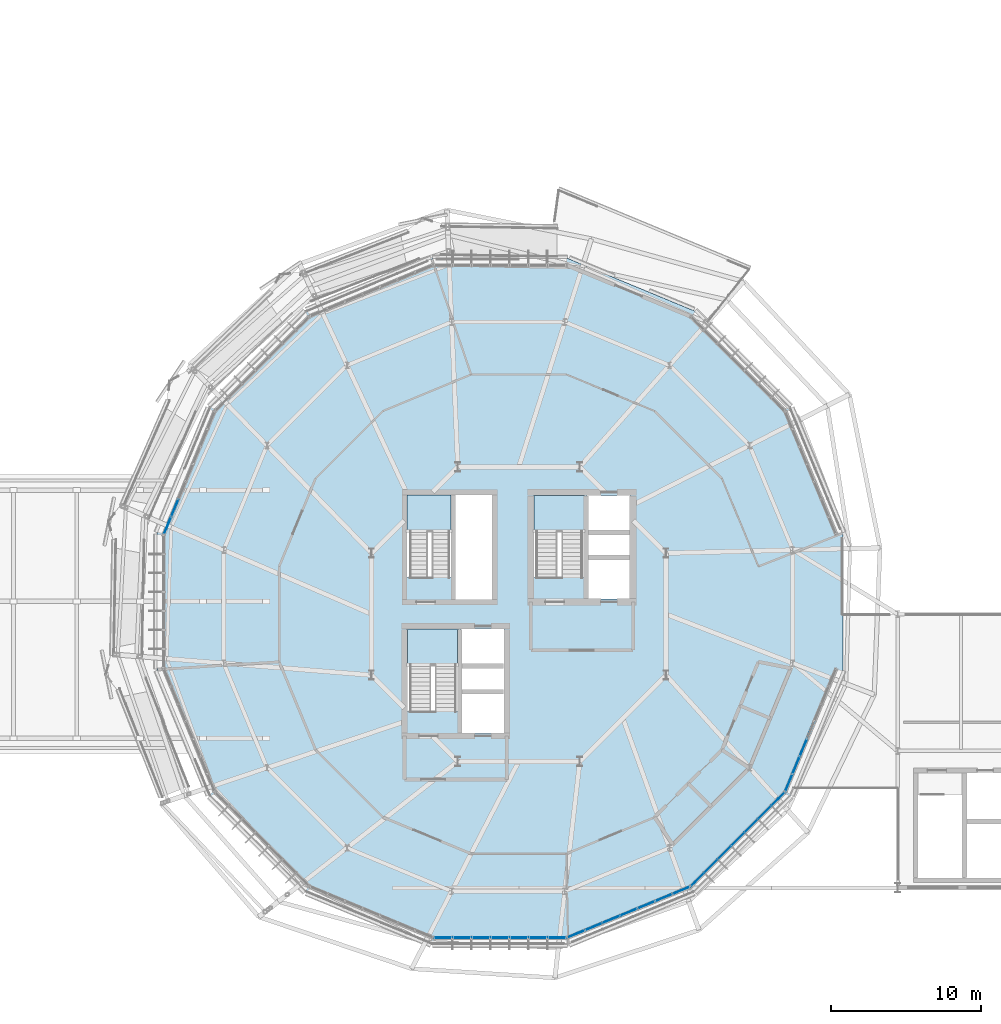
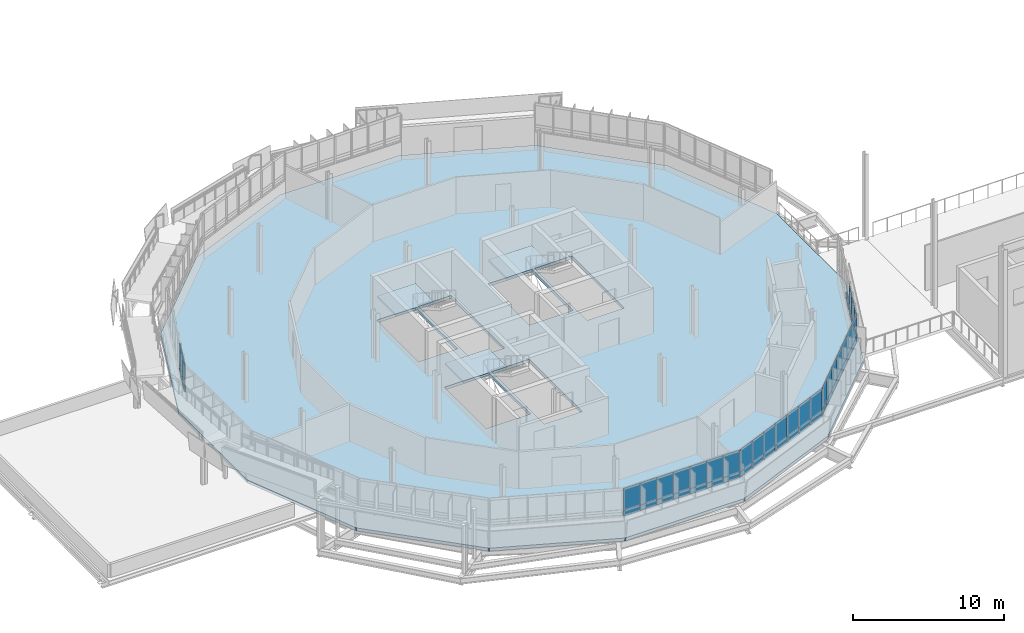
# One storey, part 41 of 61: 53 plates, 4 slabs, 8 elements without a shape of their own.
"""IFC4 building model written with IfcOpenShell, lengths in metres."""

from ifc_helpers import new_model, si_unit, derived_unit, direction, frame, origin, origin_2d, place, context, subcontext, project, spatial, polyline, rectangle, outline, extrude, material, layer, layer_set, type_object, element, aggregate, save


model = new_model("IFC4")

# Units and contexts
model_context = context("Model", 3, precision=1e-05, world=origin(), true_north=direction((0.0, 1.0)))
body_context = subcontext(model_context, "Body", "Model", "MODEL_VIEW")
ifc_project = project(units=[si_unit("LENGTHUNIT", "METRE"), si_unit("AREAUNIT", "SQUARE_METRE"), si_unit("VOLUMEUNIT", "CUBIC_METRE"), si_unit("PLANEANGLEUNIT", "RADIAN"), si_unit("MASSUNIT", "GRAM", prefix="KILO"), derived_unit("THERMALTRANSMITTANCEUNIT", [(si_unit("MASSUNIT", "GRAM", prefix="KILO"), 1), (si_unit("TIMEUNIT", "SECOND"), -3), (si_unit("THERMODYNAMICTEMPERATUREUNIT", "KELVIN"), -1)])], contexts=[model_context])

# Site, building, storey
site_placement = place(None, origin())
site = spatial("IfcSite", under=ifc_project, at=site_placement, CompositionType="ELEMENT")
building_placement = place(site_placement, origin())
building = spatial("IfcBuilding", under=site, at=building_placement, Name="Makaiwela Harbour Ferry Terminal", CompositionType="ELEMENT")
storey_placement = place(building_placement, frame((0.0, 0.0, 13.800048828125)))
storey = spatial("IfcBuildingStorey", under=building, at=storey_placement, Name="L03", CompositionType="ELEMENT", Elevation=13.800048828125)

# Curtain wall, plates
ifc_material_1 = material(Name="Marine anodised aluminium 6063-T6", Category="aluminium")
ifc_layer_1 = layer(ifc_material_1, 0.199951171875)
ifc_layer_set_1 = layer_set([ifc_layer_1], Name="Marine anodised aluminium 6063-T6")
curtain_wall_type = type_object("IfcCurtainWallType", Name="ENV-CW-05", PredefinedType="USERDEFINED", material=ifc_layer_set_1)
curtain_wall_1_placement = place(storey_placement, origin())
curtain_wall_1 = element("IfcCurtainWall", 1, at=curtain_wall_1_placement, inside=storey, type_object=curtain_wall_type, Name="Unitised Curtain Wall CWA-034", ObjectType="UNITIZED CURTAIN WALL", PredefinedType="USERDEFINED")
ifc_material_2 = material(Name="Laminated hurricane-impact low-E insulated glazing", Category="glass")
ifc_layer_2 = layer(ifc_material_2, 0.031982421875)
ifc_layer_set_2 = layer_set([ifc_layer_2], Name="Laminated hurricane-impact low-E insulated glazing")
plate_type_1 = type_object("IfcPlateType", Name="CW-PNL-G08", PredefinedType="CURTAIN_PANEL", material=ifc_layer_set_2)
plate_1_placement = place(storey_placement, frame((14.92431640625, 74.6650390625, 1.89990234375), z_axis=(0.0, 0.0, 1.0), x_axis=(-0.382683432365, -0.923879532511, 0.0)))
plate_1 = element("IfcPlate", 2, at=plate_1_placement, type_object=plate_type_1, Name="Glazed Vision Panel CWA-034-6G", PredefinedType="CURTAIN_PANEL", context=body_context, shape_type="SweptSolid", body=[
    extrude(rectangle(XDim=1.26220703125, YDim=0.031982421875, at=origin_2d()), origin(), (0.0, 0.0, 1.0), 1.760009765625),
])
plate_2_placement = place(storey_placement, frame((14.441162109375, 73.498779296875, 1.89990234375), z_axis=(0.0, 0.0, 1.0), x_axis=(-0.382683432365, -0.923879532511, 0.0)))
plate_2 = element("IfcPlate", 3, at=plate_2_placement, type_object=plate_type_1, Name="Glazed Vision Panel CWA-034-7G", PredefinedType="CURTAIN_PANEL", context=body_context, shape_type="SweptSolid", body=[
    extrude(rectangle(XDim=1.26220703125, YDim=0.031982421875, at=origin_2d()), origin(), (0.0, 0.0, 1.0), 1.760009765625),
])

curtain_wall_2_placement = place(storey_placement, origin())
curtain_wall_2 = element("IfcCurtainWall", 4, at=curtain_wall_2_placement, inside=storey, type_object=curtain_wall_type, Name="Unitised Curtain Wall CWA-039", ObjectType="UNITIZED CURTAIN WALL", PredefinedType="USERDEFINED")
plate_3_placement = place(storey_placement, frame((32.76318359375, 46.078125, 1.89990234375), z_axis=(0.0, 0.0, 1.0), x_axis=(1.0, 0.0, 0.0)))
plate_3 = element("IfcPlate", 5, at=plate_3_placement, type_object=plate_type_1, Name="Glazed Vision Panel CWA-039-1G", PredefinedType="CURTAIN_PANEL", context=body_context, shape_type="SweptSolid", body=[
    extrude(rectangle(XDim=1.26220703125, YDim=0.031982421875, at=origin_2d()), origin(), (0.0, 0.0, 1.0), 1.760009765625),
])
plate_4_placement = place(storey_placement, frame((34.025390625, 46.078125, 1.89990234375), z_axis=(0.0, 0.0, 1.0), x_axis=(1.0, 0.0, 0.0)))
plate_4 = element("IfcPlate", 6, at=plate_4_placement, type_object=plate_type_1, Name="Glazed Vision Panel CWA-039-2G", PredefinedType="CURTAIN_PANEL", context=body_context, shape_type="SweptSolid", body=[
    extrude(rectangle(XDim=1.26220703125, YDim=0.031982421875, at=origin_2d()), origin(), (0.0, 0.0, 1.0), 1.760009765625),
])
plate_5_placement = place(storey_placement, frame((35.28759765625, 46.078125, 1.89990234375), z_axis=(0.0, 0.0, 1.0), x_axis=(1.0, 0.0, 0.0)))
plate_5 = element("IfcPlate", 7, at=plate_5_placement, type_object=plate_type_1, Name="Glazed Vision Panel CWA-039-3G", PredefinedType="CURTAIN_PANEL", context=body_context, shape_type="SweptSolid", body=[
    extrude(rectangle(XDim=1.26220703125, YDim=0.031982421875, at=origin_2d()), origin(), (0.0, 0.0, 1.0), 1.760009765625),
])
plate_6_placement = place(storey_placement, frame((36.550048828125, 46.078125, 1.89990234375), z_axis=(0.0, 0.0, 1.0), x_axis=(1.0, 0.0, 0.0)))
plate_6 = element("IfcPlate", 8, at=plate_6_placement, type_object=plate_type_1, Name="Glazed Vision Panel CWA-039-4G", PredefinedType="CURTAIN_PANEL", context=body_context, shape_type="SweptSolid", body=[
    extrude(rectangle(XDim=1.26220703125, YDim=0.031982421875, at=origin_2d()), origin(), (0.0, 0.0, 1.0), 1.760009765625),
])
plate_7_placement = place(storey_placement, frame((37.812255859375, 46.078125, 1.89990234375), z_axis=(0.0, 0.0, 1.0), x_axis=(1.0, 0.0, 0.0)))
plate_7 = element("IfcPlate", 9, at=plate_7_placement, type_object=plate_type_1, Name="Glazed Vision Panel CWA-039-5G", PredefinedType="CURTAIN_PANEL", context=body_context, shape_type="SweptSolid", body=[
    extrude(rectangle(XDim=1.26220703125, YDim=0.031982421875, at=origin_2d()), origin(), (0.0, 0.0, 1.0), 1.760009765625),
])
plate_8_placement = place(storey_placement, frame((39.07470703125, 46.078125, 1.89990234375), z_axis=(0.0, 0.0, 1.0), x_axis=(1.0, 0.0, 0.0)))
plate_8 = element("IfcPlate", 10, at=plate_8_placement, type_object=plate_type_1, Name="Glazed Vision Panel CWA-039-6G", PredefinedType="CURTAIN_PANEL", context=body_context, shape_type="SweptSolid", body=[
    extrude(rectangle(XDim=1.26220703125, YDim=0.031982421875, at=origin_2d()), origin(), (0.0, 0.0, 1.0), 1.760009765625),
])
plate_9_placement = place(storey_placement, frame((40.3369140625, 46.078125, 1.89990234375), z_axis=(0.0, 0.0, 1.0), x_axis=(1.0, 0.0, 0.0)))
plate_9 = element("IfcPlate", 11, at=plate_9_placement, type_object=plate_type_1, Name="Glazed Vision Panel CWA-039-7G", PredefinedType="CURTAIN_PANEL", context=body_context, shape_type="SweptSolid", body=[
    extrude(rectangle(XDim=1.26220703125, YDim=0.031982421875, at=origin_2d()), origin(), (0.0, 0.0, 1.0), 1.760009765625),
])

curtain_wall_3_placement = place(storey_placement, origin())
curtain_wall_3 = element("IfcCurtainWall", 12, at=curtain_wall_3_placement, inside=storey, type_object=curtain_wall_type, Name="Unitised Curtain Wall CWA-040", ObjectType="UNITIZED CURTAIN WALL", PredefinedType="USERDEFINED")
plate_10_placement = place(storey_placement, frame((41.60888671875, 46.3310546875, 1.89990234375), z_axis=(0.0, 0.0, 1.0), x_axis=(0.923879532511, 0.382683432365, 0.0)))
plate_10 = element("IfcPlate", 13, at=plate_10_placement, type_object=plate_type_1, Name="Glazed Vision Panel CWA-040-1G", PredefinedType="CURTAIN_PANEL", context=body_context, shape_type="SweptSolid", body=[
    extrude(rectangle(XDim=1.26220703125, YDim=0.031982421875, at=origin_2d()), origin(), (0.0, 0.0, 1.0), 1.760009765625),
])
plate_11_placement = place(storey_placement, frame((42.775146484375, 46.814208984375, 1.89990234375), z_axis=(0.0, 0.0, 1.0), x_axis=(0.923879532511, 0.382683432365, 0.0)))
plate_11 = element("IfcPlate", 14, at=plate_11_placement, type_object=plate_type_1, Name="Glazed Vision Panel CWA-040-2G", PredefinedType="CURTAIN_PANEL", context=body_context, shape_type="SweptSolid", body=[
    extrude(rectangle(XDim=1.26220703125, YDim=0.031982421875, at=origin_2d()), origin(), (0.0, 0.0, 1.0), 1.760009765625),
])
plate_12_placement = place(storey_placement, frame((43.94140625, 47.297119140625, 1.89990234375), z_axis=(0.0, 0.0, 1.0), x_axis=(0.923879532511, 0.382683432365, 0.0)))
plate_12 = element("IfcPlate", 15, at=plate_12_placement, type_object=plate_type_1, Name="Glazed Vision Panel CWA-040-3G", PredefinedType="CURTAIN_PANEL", context=body_context, shape_type="SweptSolid", body=[
    extrude(rectangle(XDim=1.26220703125, YDim=0.031982421875, at=origin_2d()), origin(), (0.0, 0.0, 1.0), 1.760009765625),
])
plate_13_placement = place(storey_placement, frame((45.107666015625, 47.7802734375, 1.89990234375), z_axis=(0.0, 0.0, 1.0), x_axis=(0.923879532511, 0.382683432365, 0.0)))
plate_13 = element("IfcPlate", 16, at=plate_13_placement, type_object=plate_type_1, Name="Glazed Vision Panel CWA-040-4G", PredefinedType="CURTAIN_PANEL", context=body_context, shape_type="SweptSolid", body=[
    extrude(rectangle(XDim=1.26220703125, YDim=0.031982421875, at=origin_2d()), origin(), (0.0, 0.0, 1.0), 1.760009765625),
])
plate_14_placement = place(storey_placement, frame((46.273681640625, 48.263427734375, 1.89990234375), z_axis=(0.0, 0.0, 1.0), x_axis=(0.923879532511, 0.382683432365, 0.0)))
plate_14 = element("IfcPlate", 17, at=plate_14_placement, type_object=plate_type_1, Name="Glazed Vision Panel CWA-040-5G", PredefinedType="CURTAIN_PANEL", context=body_context, shape_type="SweptSolid", body=[
    extrude(rectangle(XDim=1.26220703125, YDim=0.031982421875, at=origin_2d()), origin(), (0.0, 0.0, 1.0), 1.760009765625),
])
plate_15_placement = place(storey_placement, frame((47.43994140625, 48.746337890625, 1.89990234375), z_axis=(0.0, 0.0, 1.0), x_axis=(0.923879532511, 0.382683432365, 0.0)))
plate_15 = element("IfcPlate", 18, at=plate_15_placement, type_object=plate_type_1, Name="Glazed Vision Panel CWA-040-6G", PredefinedType="CURTAIN_PANEL", context=body_context, shape_type="SweptSolid", body=[
    extrude(rectangle(XDim=1.26220703125, YDim=0.031982421875, at=origin_2d()), origin(), (0.0, 0.0, 1.0), 1.760009765625),
])
plate_16_placement = place(storey_placement, frame((48.606201171875, 49.2294921875, 1.89990234375), z_axis=(0.0, 0.0, 1.0), x_axis=(0.923879532511, 0.382683432365, 0.0)))
plate_16 = element("IfcPlate", 19, at=plate_16_placement, type_object=plate_type_1, Name="Glazed Vision Panel CWA-040-7G", PredefinedType="CURTAIN_PANEL", context=body_context, shape_type="SweptSolid", body=[
    extrude(rectangle(XDim=1.26220703125, YDim=0.031982421875, at=origin_2d()), origin(), (0.0, 0.0, 1.0), 1.760009765625),
])

curtain_wall_4_placement = place(storey_placement, origin())
curtain_wall_4 = element("IfcCurtainWall", 20, at=curtain_wall_4_placement, inside=storey, type_object=curtain_wall_type, Name="Unitised Curtain Wall CWA-041", ObjectType="UNITIZED CURTAIN WALL", PredefinedType="USERDEFINED")
plate_17_placement = place(storey_placement, frame((49.6845703125, 49.949951171875, 1.89990234375), z_axis=(0.0, 0.0, 1.0), x_axis=(0.707106781187, 0.707106781187, 0.0)))
plate_17 = element("IfcPlate", 21, at=plate_17_placement, type_object=plate_type_1, Name="Glazed Vision Panel CWA-041-1G", PredefinedType="CURTAIN_PANEL", context=body_context, shape_type="SweptSolid", body=[
    extrude(rectangle(XDim=1.26220703125, YDim=0.031982421875, at=origin_2d()), origin(), (0.0, 0.0, 1.0), 1.760009765625),
])
plate_18_placement = place(storey_placement, frame((50.5771484375, 50.842529296875, 1.89990234375), z_axis=(0.0, 0.0, 1.0), x_axis=(0.707106781187, 0.707106781187, 0.0)))
plate_18 = element("IfcPlate", 22, at=plate_18_placement, type_object=plate_type_1, Name="Glazed Vision Panel CWA-041-2G", PredefinedType="CURTAIN_PANEL", context=body_context, shape_type="SweptSolid", body=[
    extrude(rectangle(XDim=1.26220703125, YDim=0.031982421875, at=origin_2d()), origin(), (0.0, 0.0, 1.0), 1.760009765625),
])
plate_19_placement = place(storey_placement, frame((51.4697265625, 51.735107421875, 1.89990234375), z_axis=(0.0, 0.0, 1.0), x_axis=(0.707106781187, 0.707106781187, 0.0)))
plate_19 = element("IfcPlate", 23, at=plate_19_placement, type_object=plate_type_1, Name="Glazed Vision Panel CWA-041-3G", PredefinedType="CURTAIN_PANEL", context=body_context, shape_type="SweptSolid", body=[
    extrude(rectangle(XDim=1.26220703125, YDim=0.031982421875, at=origin_2d()), origin(), (0.0, 0.0, 1.0), 1.760009765625),
])
plate_20_placement = place(storey_placement, frame((52.3623046875, 52.627685546875, 1.89990234375), z_axis=(0.0, 0.0, 1.0), x_axis=(0.707106781187, 0.707106781187, 0.0)))
plate_20 = element("IfcPlate", 24, at=plate_20_placement, type_object=plate_type_1, Name="Glazed Vision Panel CWA-041-4G", PredefinedType="CURTAIN_PANEL", context=body_context, shape_type="SweptSolid", body=[
    extrude(rectangle(XDim=1.26220703125, YDim=0.031982421875, at=origin_2d()), origin(), (0.0, 0.0, 1.0), 1.760009765625),
])
plate_21_placement = place(storey_placement, frame((53.2548828125, 53.520263671875, 1.89990234375), z_axis=(0.0, 0.0, 1.0), x_axis=(0.707106781187, 0.707106781187, 0.0)))
plate_21 = element("IfcPlate", 25, at=plate_21_placement, type_object=plate_type_1, Name="Glazed Vision Panel CWA-041-5G", PredefinedType="CURTAIN_PANEL", context=body_context, shape_type="SweptSolid", body=[
    extrude(rectangle(XDim=1.26220703125, YDim=0.031982421875, at=origin_2d()), origin(), (0.0, 0.0, 1.0), 1.760009765625),
])
plate_22_placement = place(storey_placement, frame((54.1474609375, 54.412841796875, 1.89990234375), z_axis=(0.0, 0.0, 1.0), x_axis=(0.707106781187, 0.707106781187, 0.0)))
plate_22 = element("IfcPlate", 26, at=plate_22_placement, type_object=plate_type_1, Name="Glazed Vision Panel CWA-041-6G", PredefinedType="CURTAIN_PANEL", context=body_context, shape_type="SweptSolid", body=[
    extrude(rectangle(XDim=1.26220703125, YDim=0.031982421875, at=origin_2d()), origin(), (0.0, 0.0, 1.0), 1.760009765625),
])
plate_23_placement = place(storey_placement, frame((55.0400390625, 55.305419921875, 1.89990234375), z_axis=(0.0, 0.0, 1.0), x_axis=(0.707106781187, 0.707106781187, 0.0)))
plate_23 = element("IfcPlate", 27, at=plate_23_placement, type_object=plate_type_1, Name="Glazed Vision Panel CWA-041-7G", PredefinedType="CURTAIN_PANEL", context=body_context, shape_type="SweptSolid", body=[
    extrude(rectangle(XDim=1.26220703125, YDim=0.031982421875, at=origin_2d()), origin(), (0.0, 0.0, 1.0), 1.760009765625),
])

curtain_wall_5_placement = place(storey_placement, origin())
curtain_wall_5 = element("IfcCurtainWall", 28, at=curtain_wall_5_placement, inside=storey, type_object=curtain_wall_type, Name="Unitised Curtain Wall CWA-042", ObjectType="UNITIZED CURTAIN WALL", PredefinedType="USERDEFINED")
plate_24_placement = place(storey_placement, frame((55.760498046875, 56.3837890625, 1.89990234375), z_axis=(0.0, 0.0, 1.0), x_axis=(0.382683432365, 0.923879532511, 0.0)))
plate_24 = element("IfcPlate", 29, at=plate_24_placement, type_object=plate_type_1, Name="Glazed Vision Panel CWA-042-1G", PredefinedType="CURTAIN_PANEL", context=body_context, shape_type="SweptSolid", body=[
    extrude(rectangle(XDim=1.26220703125, YDim=0.031982421875, at=origin_2d()), origin(), (0.0, 0.0, 1.0), 1.760009765625),
])
plate_25_placement = place(storey_placement, frame((56.24365234375, 57.550048828125, 1.89990234375), z_axis=(0.0, 0.0, 1.0), x_axis=(0.382683432365, 0.923879532511, 0.0)))
plate_25 = element("IfcPlate", 30, at=plate_25_placement, type_object=plate_type_1, Name="Glazed Vision Panel CWA-042-2G", PredefinedType="CURTAIN_PANEL", context=body_context, shape_type="SweptSolid", body=[
    extrude(rectangle(XDim=1.26220703125, YDim=0.031982421875, at=origin_2d()), origin(), (0.0, 0.0, 1.0), 1.760009765625),
])
plate_26_placement = place(storey_placement, frame((56.7265625, 58.71630859375, 1.89990234375), z_axis=(0.0, 0.0, 1.0), x_axis=(0.382683432365, 0.923879532511, 0.0)))
plate_26 = element("IfcPlate", 31, at=plate_26_placement, type_object=plate_type_1, Name="Glazed Vision Panel CWA-042-3G", PredefinedType="CURTAIN_PANEL", context=body_context, shape_type="SweptSolid", body=[
    extrude(rectangle(XDim=1.26220703125, YDim=0.031982421875, at=origin_2d()), origin(), (0.0, 0.0, 1.0), 1.760009765625),
])

# Plate
ifc_material_3 = material(Name="Insulated marine aluminium spandrel panel", Category="aluminium")
ifc_layer_3 = layer(ifc_material_3, 0.048095703125)
ifc_layer_set_3 = layer_set([ifc_layer_3], Name="Insulated marine aluminium spandrel panel")
plate_type_2 = type_object("IfcPlateType", Name="CW-PNL-S07", PredefinedType="CURTAIN_PANEL", material=ifc_layer_set_3)
plate_27_placement = place(storey_placement, frame((14.92431640625, 74.6650390625, 1.47998046875), z_axis=(0.0, 0.0, 1.0), x_axis=(-0.382683432365, -0.923879532511, 0.0)))
plate_27 = element("IfcPlate", 32, at=plate_27_placement, type_object=plate_type_2, Name="Spandrel Panel CWA-034-6S", PredefinedType="CURTAIN_PANEL", context=body_context, shape_type="SweptSolid", body=[
    extrude(rectangle(XDim=1.26220703125, YDim=0.048095703125, at=origin_2d()), origin(), (0.0, 0.0, 1.0), 0.419921875),
])

plate_28_placement = place(storey_placement, frame((14.441162109375, 73.498779296875, 1.47998046875), z_axis=(0.0, 0.0, 1.0), x_axis=(-0.382683432365, -0.923879532511, 0.0)))
plate_28 = element("IfcPlate", 33, at=plate_28_placement, type_object=plate_type_2, Name="Spandrel Panel CWA-034-7S", PredefinedType="CURTAIN_PANEL", context=body_context, shape_type="SweptSolid", body=[
    extrude(rectangle(XDim=1.26220703125, YDim=0.048095703125, at=origin_2d()), origin(), (0.0, 0.0, 1.0), 0.419921875),
])

aggregate(curtain_wall_1, [plate_27, plate_1, plate_28, plate_2])

plate_29_placement = place(storey_placement, frame((32.76318359375, 46.078125, 1.47998046875), z_axis=(0.0, 0.0, 1.0), x_axis=(1.0, 0.0, 0.0)))
plate_29 = element("IfcPlate", 34, at=plate_29_placement, type_object=plate_type_2, Name="Spandrel Panel CWA-039-1S", PredefinedType="CURTAIN_PANEL", context=body_context, shape_type="SweptSolid", body=[
    extrude(rectangle(XDim=1.26220703125, YDim=0.048095703125, at=origin_2d()), origin(), (0.0, 0.0, 1.0), 0.419921875),
])

plate_30_placement = place(storey_placement, frame((34.025390625, 46.078125, 1.47998046875), z_axis=(0.0, 0.0, 1.0), x_axis=(1.0, 0.0, 0.0)))
plate_30 = element("IfcPlate", 35, at=plate_30_placement, type_object=plate_type_2, Name="Spandrel Panel CWA-039-2S", PredefinedType="CURTAIN_PANEL", context=body_context, shape_type="SweptSolid", body=[
    extrude(rectangle(XDim=1.26220703125, YDim=0.048095703125, at=origin_2d()), origin(), (0.0, 0.0, 1.0), 0.419921875),
])

plate_31_placement = place(storey_placement, frame((35.28759765625, 46.078125, 1.47998046875), z_axis=(0.0, 0.0, 1.0), x_axis=(1.0, 0.0, 0.0)))
plate_31 = element("IfcPlate", 36, at=plate_31_placement, type_object=plate_type_2, Name="Spandrel Panel CWA-039-3S", PredefinedType="CURTAIN_PANEL", context=body_context, shape_type="SweptSolid", body=[
    extrude(rectangle(XDim=1.26220703125, YDim=0.048095703125, at=origin_2d()), origin(), (0.0, 0.0, 1.0), 0.419921875),
])

plate_32_placement = place(storey_placement, frame((36.550048828125, 46.078125, 1.47998046875), z_axis=(0.0, 0.0, 1.0), x_axis=(1.0, 0.0, 0.0)))
plate_32 = element("IfcPlate", 37, at=plate_32_placement, type_object=plate_type_2, Name="Spandrel Panel CWA-039-4S", PredefinedType="CURTAIN_PANEL", context=body_context, shape_type="SweptSolid", body=[
    extrude(rectangle(XDim=1.26220703125, YDim=0.048095703125, at=origin_2d()), origin(), (0.0, 0.0, 1.0), 0.419921875),
])

plate_33_placement = place(storey_placement, frame((37.812255859375, 46.078125, 1.47998046875), z_axis=(0.0, 0.0, 1.0), x_axis=(1.0, 0.0, 0.0)))
plate_33 = element("IfcPlate", 38, at=plate_33_placement, type_object=plate_type_2, Name="Spandrel Panel CWA-039-5S", PredefinedType="CURTAIN_PANEL", context=body_context, shape_type="SweptSolid", body=[
    extrude(rectangle(XDim=1.26220703125, YDim=0.048095703125, at=origin_2d()), origin(), (0.0, 0.0, 1.0), 0.419921875),
])

plate_34_placement = place(storey_placement, frame((39.07470703125, 46.078125, 1.47998046875), z_axis=(0.0, 0.0, 1.0), x_axis=(1.0, 0.0, 0.0)))
plate_34 = element("IfcPlate", 39, at=plate_34_placement, type_object=plate_type_2, Name="Spandrel Panel CWA-039-6S", PredefinedType="CURTAIN_PANEL", context=body_context, shape_type="SweptSolid", body=[
    extrude(rectangle(XDim=1.26220703125, YDim=0.048095703125, at=origin_2d()), origin(), (0.0, 0.0, 1.0), 0.419921875),
])

plate_35_placement = place(storey_placement, frame((40.3369140625, 46.078125, 1.47998046875), z_axis=(0.0, 0.0, 1.0), x_axis=(1.0, 0.0, 0.0)))
plate_35 = element("IfcPlate", 40, at=plate_35_placement, type_object=plate_type_2, Name="Spandrel Panel CWA-039-7S", PredefinedType="CURTAIN_PANEL", context=body_context, shape_type="SweptSolid", body=[
    extrude(rectangle(XDim=1.26220703125, YDim=0.048095703125, at=origin_2d()), origin(), (0.0, 0.0, 1.0), 0.419921875),
])

aggregate(curtain_wall_2, [plate_29, plate_3, plate_30, plate_4, plate_31, plate_5, plate_32, plate_6, plate_33, plate_7, plate_34, plate_8, plate_35, plate_9])

plate_36_placement = place(storey_placement, frame((41.60888671875, 46.3310546875, 1.47998046875), z_axis=(0.0, 0.0, 1.0), x_axis=(0.923879532511, 0.382683432365, 0.0)))
plate_36 = element("IfcPlate", 41, at=plate_36_placement, type_object=plate_type_2, Name="Spandrel Panel CWA-040-1S", PredefinedType="CURTAIN_PANEL", context=body_context, shape_type="SweptSolid", body=[
    extrude(rectangle(XDim=1.26220703125, YDim=0.048095703125, at=origin_2d()), origin(), (0.0, 0.0, 1.0), 0.419921875),
])

plate_37_placement = place(storey_placement, frame((42.775146484375, 46.814208984375, 1.47998046875), z_axis=(0.0, 0.0, 1.0), x_axis=(0.923879532511, 0.382683432365, 0.0)))
plate_37 = element("IfcPlate", 42, at=plate_37_placement, type_object=plate_type_2, Name="Spandrel Panel CWA-040-2S", PredefinedType="CURTAIN_PANEL", context=body_context, shape_type="SweptSolid", body=[
    extrude(rectangle(XDim=1.26220703125, YDim=0.048095703125, at=origin_2d()), origin(), (0.0, 0.0, 1.0), 0.419921875),
])

plate_38_placement = place(storey_placement, frame((43.94140625, 47.297119140625, 1.47998046875), z_axis=(0.0, 0.0, 1.0), x_axis=(0.923879532511, 0.382683432365, 0.0)))
plate_38 = element("IfcPlate", 43, at=plate_38_placement, type_object=plate_type_2, Name="Spandrel Panel CWA-040-3S", PredefinedType="CURTAIN_PANEL", context=body_context, shape_type="SweptSolid", body=[
    extrude(rectangle(XDim=1.26220703125, YDim=0.048095703125, at=origin_2d()), origin(), (0.0, 0.0, 1.0), 0.419921875),
])

plate_39_placement = place(storey_placement, frame((45.107666015625, 47.7802734375, 1.47998046875), z_axis=(0.0, 0.0, 1.0), x_axis=(0.923879532511, 0.382683432365, 0.0)))
plate_39 = element("IfcPlate", 44, at=plate_39_placement, type_object=plate_type_2, Name="Spandrel Panel CWA-040-4S", PredefinedType="CURTAIN_PANEL", context=body_context, shape_type="SweptSolid", body=[
    extrude(rectangle(XDim=1.26220703125, YDim=0.048095703125, at=origin_2d()), origin(), (0.0, 0.0, 1.0), 0.419921875),
])

plate_40_placement = place(storey_placement, frame((46.273681640625, 48.263427734375, 1.47998046875), z_axis=(0.0, 0.0, 1.0), x_axis=(0.923879532511, 0.382683432365, 0.0)))
plate_40 = element("IfcPlate", 45, at=plate_40_placement, type_object=plate_type_2, Name="Spandrel Panel CWA-040-5S", PredefinedType="CURTAIN_PANEL", context=body_context, shape_type="SweptSolid", body=[
    extrude(rectangle(XDim=1.26220703125, YDim=0.048095703125, at=origin_2d()), origin(), (0.0, 0.0, 1.0), 0.419921875),
])

plate_41_placement = place(storey_placement, frame((47.43994140625, 48.746337890625, 1.47998046875), z_axis=(0.0, 0.0, 1.0), x_axis=(0.923879532511, 0.382683432365, 0.0)))
plate_41 = element("IfcPlate", 46, at=plate_41_placement, type_object=plate_type_2, Name="Spandrel Panel CWA-040-6S", PredefinedType="CURTAIN_PANEL", context=body_context, shape_type="SweptSolid", body=[
    extrude(rectangle(XDim=1.26220703125, YDim=0.048095703125, at=origin_2d()), origin(), (0.0, 0.0, 1.0), 0.419921875),
])

plate_42_placement = place(storey_placement, frame((48.606201171875, 49.2294921875, 1.47998046875), z_axis=(0.0, 0.0, 1.0), x_axis=(0.923879532511, 0.382683432365, 0.0)))
plate_42 = element("IfcPlate", 47, at=plate_42_placement, type_object=plate_type_2, Name="Spandrel Panel CWA-040-7S", PredefinedType="CURTAIN_PANEL", context=body_context, shape_type="SweptSolid", body=[
    extrude(rectangle(XDim=1.26220703125, YDim=0.048095703125, at=origin_2d()), origin(), (0.0, 0.0, 1.0), 0.419921875),
])

aggregate(curtain_wall_3, [plate_36, plate_10, plate_37, plate_11, plate_38, plate_12, plate_39, plate_13, plate_40, plate_14, plate_41, plate_15, plate_42, plate_16])

plate_43_placement = place(storey_placement, frame((49.6845703125, 49.949951171875, 1.47998046875), z_axis=(0.0, 0.0, 1.0), x_axis=(0.707106781187, 0.707106781187, 0.0)))
plate_43 = element("IfcPlate", 48, at=plate_43_placement, type_object=plate_type_2, Name="Spandrel Panel CWA-041-1S", PredefinedType="CURTAIN_PANEL", context=body_context, shape_type="SweptSolid", body=[
    extrude(rectangle(XDim=1.26220703125, YDim=0.048095703125, at=origin_2d()), origin(), (0.0, 0.0, 1.0), 0.419921875),
])

plate_44_placement = place(storey_placement, frame((50.5771484375, 50.842529296875, 1.47998046875), z_axis=(0.0, 0.0, 1.0), x_axis=(0.707106781187, 0.707106781187, 0.0)))
plate_44 = element("IfcPlate", 49, at=plate_44_placement, type_object=plate_type_2, Name="Spandrel Panel CWA-041-2S", PredefinedType="CURTAIN_PANEL", context=body_context, shape_type="SweptSolid", body=[
    extrude(rectangle(XDim=1.26220703125, YDim=0.048095703125, at=origin_2d()), origin(), (0.0, 0.0, 1.0), 0.419921875),
])

plate_45_placement = place(storey_placement, frame((51.4697265625, 51.735107421875, 1.47998046875), z_axis=(0.0, 0.0, 1.0), x_axis=(0.707106781187, 0.707106781187, 0.0)))
plate_45 = element("IfcPlate", 50, at=plate_45_placement, type_object=plate_type_2, Name="Spandrel Panel CWA-041-3S", PredefinedType="CURTAIN_PANEL", context=body_context, shape_type="SweptSolid", body=[
    extrude(rectangle(XDim=1.26220703125, YDim=0.048095703125, at=origin_2d()), origin(), (0.0, 0.0, 1.0), 0.419921875),
])

plate_46_placement = place(storey_placement, frame((52.3623046875, 52.627685546875, 1.47998046875), z_axis=(0.0, 0.0, 1.0), x_axis=(0.707106781187, 0.707106781187, 0.0)))
plate_46 = element("IfcPlate", 51, at=plate_46_placement, type_object=plate_type_2, Name="Spandrel Panel CWA-041-4S", PredefinedType="CURTAIN_PANEL", context=body_context, shape_type="SweptSolid", body=[
    extrude(rectangle(XDim=1.26220703125, YDim=0.048095703125, at=origin_2d()), origin(), (0.0, 0.0, 1.0), 0.419921875),
])

plate_47_placement = place(storey_placement, frame((53.2548828125, 53.520263671875, 1.47998046875), z_axis=(0.0, 0.0, 1.0), x_axis=(0.707106781187, 0.707106781187, 0.0)))
plate_47 = element("IfcPlate", 52, at=plate_47_placement, type_object=plate_type_2, Name="Spandrel Panel CWA-041-5S", PredefinedType="CURTAIN_PANEL", context=body_context, shape_type="SweptSolid", body=[
    extrude(rectangle(XDim=1.26220703125, YDim=0.048095703125, at=origin_2d()), origin(), (0.0, 0.0, 1.0), 0.419921875),
])

plate_48_placement = place(storey_placement, frame((54.1474609375, 54.412841796875, 1.47998046875), z_axis=(0.0, 0.0, 1.0), x_axis=(0.707106781187, 0.707106781187, 0.0)))
plate_48 = element("IfcPlate", 53, at=plate_48_placement, type_object=plate_type_2, Name="Spandrel Panel CWA-041-6S", PredefinedType="CURTAIN_PANEL", context=body_context, shape_type="SweptSolid", body=[
    extrude(rectangle(XDim=1.26220703125, YDim=0.048095703125, at=origin_2d()), origin(), (0.0, 0.0, 1.0), 0.419921875),
])

plate_49_placement = place(storey_placement, frame((55.0400390625, 55.305419921875, 1.47998046875), z_axis=(0.0, 0.0, 1.0), x_axis=(0.707106781187, 0.707106781187, 0.0)))
plate_49 = element("IfcPlate", 54, at=plate_49_placement, type_object=plate_type_2, Name="Spandrel Panel CWA-041-7S", PredefinedType="CURTAIN_PANEL", context=body_context, shape_type="SweptSolid", body=[
    extrude(rectangle(XDim=1.26220703125, YDim=0.048095703125, at=origin_2d()), origin(), (0.0, 0.0, 1.0), 0.419921875),
])

aggregate(curtain_wall_4, [plate_43, plate_17, plate_44, plate_18, plate_45, plate_19, plate_46, plate_20, plate_47, plate_21, plate_48, plate_22, plate_49, plate_23])

plate_50_placement = place(storey_placement, frame((55.760498046875, 56.3837890625, 1.47998046875), z_axis=(0.0, 0.0, 1.0), x_axis=(0.382683432365, 0.923879532511, 0.0)))
plate_50 = element("IfcPlate", 55, at=plate_50_placement, type_object=plate_type_2, Name="Spandrel Panel CWA-042-1S", PredefinedType="CURTAIN_PANEL", context=body_context, shape_type="SweptSolid", body=[
    extrude(rectangle(XDim=1.26220703125, YDim=0.048095703125, at=origin_2d()), origin(), (0.0, 0.0, 1.0), 0.419921875),
])

plate_51_placement = place(storey_placement, frame((56.24365234375, 57.550048828125, 1.47998046875), z_axis=(0.0, 0.0, 1.0), x_axis=(0.382683432365, 0.923879532511, 0.0)))
plate_51 = element("IfcPlate", 56, at=plate_51_placement, type_object=plate_type_2, Name="Spandrel Panel CWA-042-2S", PredefinedType="CURTAIN_PANEL", context=body_context, shape_type="SweptSolid", body=[
    extrude(rectangle(XDim=1.26220703125, YDim=0.048095703125, at=origin_2d()), origin(), (0.0, 0.0, 1.0), 0.419921875),
])

plate_52_placement = place(storey_placement, frame((56.7265625, 58.71630859375, 1.47998046875), z_axis=(0.0, 0.0, 1.0), x_axis=(0.382683432365, 0.923879532511, 0.0)))
plate_52 = element("IfcPlate", 57, at=plate_52_placement, type_object=plate_type_2, Name="Spandrel Panel CWA-042-3S", PredefinedType="CURTAIN_PANEL", context=body_context, shape_type="SweptSolid", body=[
    extrude(rectangle(XDim=1.26220703125, YDim=0.048095703125, at=origin_2d()), origin(), (0.0, 0.0, 1.0), 0.419921875),
])

plate_53_placement = place(storey_placement, frame((57.209716796875, 59.88232421875, 1.47998046875), z_axis=(0.0, 0.0, 1.0), x_axis=(0.382683432365, 0.923879532511, 0.0)))
plate_53 = element("IfcPlate", 58, at=plate_53_placement, type_object=plate_type_2, Name="Spandrel Panel CWA-042-4S", PredefinedType="CURTAIN_PANEL", context=body_context, shape_type="SweptSolid", body=[
    extrude(rectangle(XDim=1.26220703125, YDim=0.048095703125, at=origin_2d()), origin(), (0.0, 0.0, 1.0), 0.419921875),
])

aggregate(curtain_wall_5, [plate_50, plate_24, plate_51, plate_25, plate_52, plate_26, plate_53])

# Slab
ifc_material_4 = material(Name="Concrete f'c 35 MPa (5000 psi)", Category="concrete")
ifc_layer_4 = layer(ifc_material_4, 0.239990234375)
ifc_layer_set_4 = layer_set([ifc_layer_4], Name="Concrete f'c 35 MPa (5000 psi)")
slab_type_1 = type_object("IfcSlabType", Name="SLB-FLR-240", PredefinedType="FLOOR", material=ifc_layer_set_4)
slab_1_placement = place(storey_placement, frame((0.0, 0.0, -0.239990234375)))
element("IfcSlab", 59, at=slab_1_placement, inside=storey, type_object=slab_type_1, Name="Slab SLB-037", PredefinedType="FLOOR", context=body_context, shape_type="SweptSolid", body=[
    extrude(outline(polyline([(59.353271484375, 72.975830078125), (55.881591796875, 81.35693359375), (49.467041015625, 87.771728515625), (41.085693359375, 91.243408203125), (32.01416015625, 91.243408203125), (23.633056640625, 87.771728515625), (17.21826171875, 81.35693359375), (13.74658203125, 72.975830078125), (13.74658203125, 63.904296875), (17.21826171875, 55.52294921875), (23.633056640625, 49.1083984375), (32.01416015625, 45.63671875), (41.085693359375, 45.63671875), (49.467041015625, 49.1083984375), (55.881591796875, 55.52294921875), (59.353271484375, 63.904296875), (59.353271484375, 72.975830078125)]), holes=[polyline([(38.794921875, 70.0400390625), (38.794921875, 75.5048828125), (42.14208984375, 75.5048828125), (42.14208984375, 70.0400390625), (38.794921875, 70.0400390625)]), polyline([(42.35205078125, 68.594970703125), (42.35205078125, 75.5048828125), (45.205078125, 75.5048828125), (45.205078125, 68.594970703125), (42.35205078125, 68.594970703125)]), polyline([(30.3701171875, 61.139892578125), (30.3701171875, 66.6298828125), (33.741943359375, 66.6298828125), (33.741943359375, 61.139892578125), (30.3701171875, 61.139892578125)]), polyline([(33.951904296875, 59.669921875), (33.951904296875, 66.6298828125), (36.830078125, 66.6298828125), (36.830078125, 59.669921875), (33.951904296875, 59.669921875)]), polyline([(30.35009765625, 70.0400390625), (30.35009765625, 75.550048828125), (33.31005859375, 75.550048828125), (33.31005859375, 70.0400390625), (30.35009765625, 70.0400390625)]), polyline([(33.52001953125, 68.550048828125), (33.52001953125, 75.550048828125), (36.050048828125, 75.550048828125), (36.050048828125, 68.550048828125), (33.52001953125, 68.550048828125)])]), origin(), (0.0, 0.0, 1.0), 0.239990234375),
])

# Stair, slab
stair_type_1 = type_object("IfcStairType", Name="CIR-STR-A04", PredefinedType="HALF_TURN_STAIR", material=ifc_material_4)
stair_1_placement = place(storey_placement, origin())
stair_1 = element("IfcStair", 60, at=stair_1_placement, inside=storey, type_object=stair_type_1, Name="Stair ST-01-L03", PredefinedType="HALF_TURN_STAIR")
ifc_layer_5 = layer(ifc_material_4, 0.14990234375)
ifc_layer_set_5 = layer_set([ifc_layer_5], Name="Concrete f'c 35 MPa (5000 psi)")
slab_type_2 = type_object("IfcSlabType", Name="SLB-LND-150", PredefinedType="LANDING", material=ifc_layer_set_5)
slab_2_placement = place(storey_placement, frame((0.0, 0.0, 1.800048828125)))
slab_2 = element("IfcSlab", 61, at=slab_2_placement, type_object=slab_type_2, Name="Stair Half Landing LND-04", PredefinedType="LANDING", context=body_context, shape_type="SweptSolid", body=[
    extrude(outline(polyline([(38.81005859375, 73.0849609375), (42.126953125, 73.0849609375), (42.126953125, 75.489990234375), (38.81005859375, 75.489990234375), (38.81005859375, 73.0849609375)])), origin(), (0.0, 0.0, 1.0), 0.14990234375),
])
aggregate(stair_1, [slab_2])

stair_2_placement = place(storey_placement, origin())
stair_2 = element("IfcStair", 62, at=stair_2_placement, inside=storey, type_object=stair_type_1, Name="Stair ST-02-L03", PredefinedType="HALF_TURN_STAIR")
slab_3_placement = place(storey_placement, frame((0.0, 0.0, 1.800048828125)))
slab_3 = element("IfcSlab", 63, at=slab_3_placement, type_object=slab_type_2, Name="Stair Half Landing LND-09", PredefinedType="LANDING", context=body_context, shape_type="SweptSolid", body=[
    extrude(outline(polyline([(30.385009765625, 64.18505859375), (33.72705078125, 64.18505859375), (33.72705078125, 66.614990234375), (30.385009765625, 66.614990234375), (30.385009765625, 64.18505859375)])), origin(), (0.0, 0.0, 1.0), 0.14990234375),
])
aggregate(stair_2, [slab_3])

stair_type_2 = type_object("IfcStairType", Name="CIR-STR-A08", PredefinedType="HALF_TURN_STAIR", material=ifc_material_4)
stair_3_placement = place(storey_placement, origin())
stair_3 = element("IfcStair", 64, at=stair_3_placement, inside=storey, type_object=stair_type_2, Name="Stair ST-03-L03", PredefinedType="HALF_TURN_STAIR")
slab_4_placement = place(storey_placement, frame((0.0, 0.0, 1.800048828125)))
slab_4 = element("IfcSlab", 65, at=slab_4_placement, type_object=slab_type_2, Name="Stair Half Landing LND-14", PredefinedType="LANDING", context=body_context, shape_type="SweptSolid", body=[
    extrude(outline(polyline([(30.364990234375, 73.0849609375), (33.294921875, 73.0849609375), (33.294921875, 75.534912109375), (30.364990234375, 75.534912109375), (30.364990234375, 73.0849609375)])), origin(), (0.0, 0.0, 1.0), 0.14990234375),
])
aggregate(stair_3, [slab_4])

save(model, "model.ifc")
